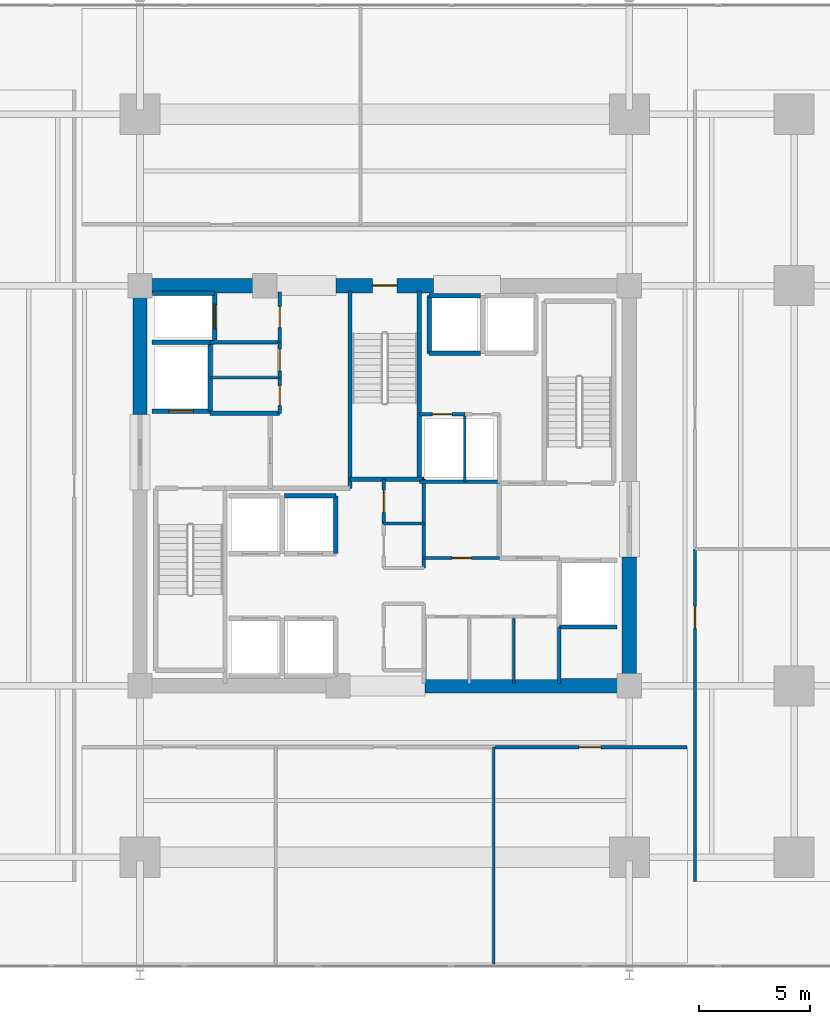
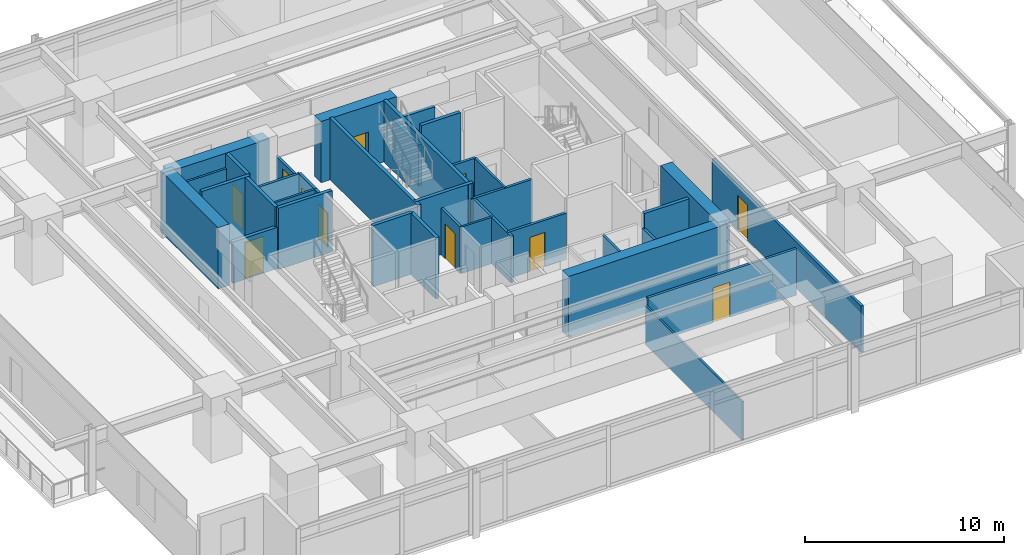
# One storey, part 15 of 21: 37 walls, 11 doors, 11 openings.
"""IFC4 building model written with IfcOpenShell, lengths in metres."""

from ifc_helpers import new_model, si_unit, direction, frame, frame_2d, origin, place, context, subcontext, project, spatial, rectangle, extrude, material, layer, layer_set, type_object, element, fill, save


model = new_model("IFC4")

# Units and contexts
model_context = context("Model", 3, precision=1e-05, world=origin(), true_north=direction((0.0, 1.0)))
body_context = subcontext(model_context, "Body", "Model", "MODEL_VIEW")
ifc_project = project(units=[si_unit("LENGTHUNIT", "METRE"), si_unit("AREAUNIT", "SQUARE_METRE"), si_unit("VOLUMEUNIT", "CUBIC_METRE"), si_unit("PLANEANGLEUNIT", "RADIAN"), si_unit("MASSUNIT", "GRAM", prefix="KILO")], contexts=[model_context])

# Site, building, storey
site_placement = place(None, origin())
site = spatial("IfcSite", under=ifc_project, at=site_placement, CompositionType="ELEMENT")
building_placement = place(site_placement, origin())
building = spatial("IfcBuilding", under=site, at=building_placement, Name="Kovane Verandah Tower", CompositionType="ELEMENT")
storey_placement = place(building_placement, frame((0.0, 0.0, 27.60009765625)))
storey = spatial("IfcBuildingStorey", under=building, at=storey_placement, Name="L05", CompositionType="ELEMENT", Elevation=27.60009765625)

# Wall
ifc_material_1 = material(Name="Fire-Rated Gypsum Stud Partition", Category="gypsum")
ifc_layer_1 = layer(ifc_material_1, 0.14990234375)
ifc_layer_set_1 = layer_set([ifc_layer_1], Name="Fire-Rated Gypsum Stud Partition")
wall_type_1 = type_object("IfcWallType", Name="WL-COR-150", PredefinedType="PARTITIONING", material=ifc_layer_set_1)
wall_1_placement = place(storey_placement, frame((41.760009765625, 23.800048828125, 0.0), z_axis=(0.0, 0.0, 1.0), x_axis=(0.0, 1.0, 0.0)))
element("IfcWall", 1, at=wall_1_placement, inside=storey, type_object=wall_type_1, Name="L05 Central Core Strip Upper East Wall", PredefinedType="PARTITIONING", context=body_context, shape_type="SweptSolid", body=[
    extrude(rectangle(XDim=4.0, YDim=0.14990234375, at=frame_2d((2.0, 0.0))), origin(), (0.0, 0.0, 1.0), 2.849853515625),
])

# Wall, opening, door
wall_2_placement = place(storey_placement, frame((39.949951171875, 25.800048828125, 0.0), z_axis=(0.0, 0.0, 1.0), x_axis=(0.0, 1.0, 0.0)))
wall_2 = element("IfcWall", 2, at=wall_2_placement, inside=storey, type_object=wall_type_1, Name="L05 Central First Aid and Wellness Room Partition", PredefinedType="PARTITIONING", context=body_context, shape_type="SweptSolid", body=[
    extrude(rectangle(XDim=2.0, YDim=0.14990234375, at=frame_2d((1.0, 0.0))), origin(), (0.0, 0.0, 1.0), 2.849853515625),
])
opening_1_placement = place(wall_2_placement, frame((0.5, 0.0, 0.0)))
opening_1 = element("IfcOpeningElement", 3, at=opening_1_placement, cuts=wall_2, Name="Opening DR-L05-026", PredefinedType="OPENING", context=body_context, shape_type="SweptSolid", body=[
    extrude(rectangle(XDim=1.0, YDim=2.14990234375, at=frame_2d((0.5, 1.074951171875))), frame((0.0, 0.074951171875, 0.0), z_axis=(0.0, -1.0, 0.0), x_axis=(1.0, 0.0, 0.0)), (0.0, 0.0, 1.0), 0.14990234375),
])
ifc_material_2 = material(Name="FSC Spotted-Gum Timber Fire-Rated Office Door", Category="wood")
door_type_1 = type_object("IfcDoorType", Name="DR-OFF-1000", OperationType="SINGLE_SWING_LEFT", PredefinedType="DOOR", material=ifc_material_2)
door_1_placement = place(opening_1_placement, origin())
door_1 = element("IfcDoor", 4, at=door_1_placement, inside=storey, type_object=door_type_1, Name="L05 Central First Aid and Wellness Room Door", OperationType="SINGLE_SWING_LEFT", OverallHeight=2.14990234375, OverallWidth=1.0, PredefinedType="DOOR", context=body_context, shape_type="SweptSolid", body=[
    extrude(rectangle(XDim=1.0, YDim=2.14990234375, at=frame_2d((0.5, 1.074951171875))), frame((0.0, 0.02490234375, 0.0), z_axis=(0.0, -1.0, 0.0), x_axis=(1.0, 0.0, 0.0)), (0.0, 0.0, 1.0), 0.050048828125),
])
fill(opening_1, door_1)

# Wall
wall_3_placement = place(storey_placement, frame((32.14990234375, 33.949951171875, 0.0), z_axis=(0.0, 0.0, 1.0), x_axis=(1.0, 0.0, 0.0)))
element("IfcWall", 5, at=wall_3_placement, inside=storey, type_object=wall_type_1, Name="L05 Goods Lift Lobby South Wall", PredefinedType="PARTITIONING", context=body_context, shape_type="SweptSolid", body=[
    extrude(rectangle(XDim=3.130126953125, YDim=0.14990234375, at=frame_2d((1.56494140625, 0.0))), origin(), (0.0, 0.0, 1.0), 2.849853515625),
])

# Wall, opening, door
wall_4_placement = place(storey_placement, frame((35.280029296875, 33.949951171875, 0.0), z_axis=(0.0, 0.0, 1.0), x_axis=(0.0, 1.0, 0.0)))
wall_4 = element("IfcWall", 6, at=wall_4_placement, inside=storey, type_object=wall_type_1, Name="L05 Goods Lift Lobby East Fire Partition", PredefinedType="PARTITIONING", context=body_context, shape_type="SweptSolid", body=[
    extrude(rectangle(XDim=2.27001953125, YDim=0.14990234375, at=frame_2d((1.135009765625, 0.0))), origin(), (0.0, 0.0, 1.0), 2.539794921875),
])
opening_2_placement = place(wall_4_placement, frame((0.659912109375, 0.0, 0.0)))
opening_2 = element("IfcOpeningElement", 7, at=opening_2_placement, cuts=wall_4, Name="Opening DR-L05-008", PredefinedType="OPENING", context=body_context, shape_type="SweptSolid", body=[
    extrude(rectangle(XDim=0.949951171875, YDim=2.14990234375, at=frame_2d((0.47509765625, 1.074951171875))), frame((0.0, 0.074951171875, 0.0), z_axis=(0.0, -1.0, 0.0), x_axis=(1.0, 0.0, 0.0)), (0.0, 0.0, 1.0), 0.14990234375),
])
ifc_material_3 = material(Name="Fire-Rated Steel Refuge and Lobby Door", Category="steel")
door_type_2 = type_object("IfcDoorType", Name="DR-FIRE-950", OperationType="SINGLE_SWING_LEFT", PredefinedType="DOOR", material=ifc_material_3)
door_2_placement = place(opening_2_placement, origin())
door_2 = element("IfcDoor", 8, at=door_2_placement, inside=storey, type_object=door_type_2, Name="L05 Goods Lift Lobby Fire Door", OperationType="SINGLE_SWING_RIGHT", OverallHeight=2.14990234375, OverallWidth=0.949951171875, PredefinedType="DOOR", context=body_context, shape_type="SweptSolid", body=[
    extrude(rectangle(XDim=0.949951171875, YDim=2.14990234375, at=frame_2d((0.47509765625, 1.074951171875))), frame((0.0, 0.02490234375, 0.0), z_axis=(0.0, -1.0, 0.0), x_axis=(1.0, 0.0, 0.0)), (0.0, 0.0, 1.0), 0.050048828125),
])
fill(opening_2, door_2)

wall_5_placement = place(storey_placement, frame((35.280029296875, 30.75, 0.0), z_axis=(0.0, 0.0, 1.0), x_axis=(0.0, 1.0, 0.0)))
wall_5 = element("IfcWall", 9, at=wall_5_placement, inside=storey, type_object=wall_type_1, Name="L05 Accessible Unisex Toilet Partition", PredefinedType="PARTITIONING", context=body_context, shape_type="SweptSolid", body=[
    extrude(rectangle(XDim=1.60009765625, YDim=0.14990234375, at=frame_2d((0.800048828125, 0.0))), origin(), (0.0, 0.0, 1.0), 2.849853515625),
])
opening_3_placement = place(wall_5_placement, frame((0.35009765625, 0.0, 0.0)))
opening_3 = element("IfcOpeningElement", 10, at=opening_3_placement, cuts=wall_5, Name="Opening DR-L05-027", PredefinedType="OPENING", context=body_context, shape_type="SweptSolid", body=[
    extrude(rectangle(XDim=0.89990234375, YDim=2.10009765625, at=frame_2d((0.449951171875, 1.050048828125))), frame((0.0, 0.074951171875, 0.0), z_axis=(0.0, -1.0, 0.0), x_axis=(1.0, 0.0, 0.0)), (0.0, 0.0, 1.0), 0.14990234375),
])
ifc_material_4 = material(Name="Moisture-Resistant Laminate Washroom Door", Category="wood")
door_type_3 = type_object("IfcDoorType", Name="DR-WC-900", OperationType="SINGLE_SWING_LEFT", PredefinedType="DOOR", material=ifc_material_4)
door_3_placement = place(opening_3_placement, origin())
door_3 = element("IfcDoor", 11, at=door_3_placement, inside=storey, type_object=door_type_3, Name="L05 Accessible Unisex Toilet Door", OperationType="SINGLE_SWING_LEFT", OverallHeight=2.10009765625, OverallWidth=0.89990234375, PredefinedType="DOOR", context=body_context, shape_type="SweptSolid", body=[
    extrude(rectangle(XDim=0.89990234375, YDim=2.10009765625, at=frame_2d((0.449951171875, 1.050048828125))), frame((0.0, 0.02490234375, 0.0), z_axis=(0.0, -1.0, 0.0), x_axis=(1.0, 0.0, 0.0)), (0.0, 0.0, 1.0), 0.050048828125),
])
fill(opening_3, door_3)

wall_6_placement = place(storey_placement, frame((35.280029296875, 32.35009765625, 0.0), z_axis=(0.0, 0.0, 1.0), x_axis=(0.0, 1.0, 0.0)))
wall_6 = element("IfcWall", 12, at=wall_6_placement, inside=storey, type_object=wall_type_1, Name="L05 North-West First Aid Room Partition", PredefinedType="PARTITIONING", context=body_context, shape_type="SweptSolid", body=[
    extrude(rectangle(XDim=1.599853515625, YDim=0.14990234375, at=frame_2d((0.7998046875, 0.0))), origin(), (0.0, 0.0, 1.0), 2.849853515625),
])
opening_4_placement = place(wall_6_placement, frame((0.300048828125, 0.0, 0.0)))
opening_4 = element("IfcOpeningElement", 13, at=opening_4_placement, cuts=wall_6, Name="Opening DR-L05-012", PredefinedType="OPENING", context=body_context, shape_type="SweptSolid", body=[
    extrude(rectangle(XDim=1.0, YDim=2.14990234375, at=frame_2d((0.5, 1.074951171875))), frame((0.0, 0.074951171875, 0.0), z_axis=(0.0, -1.0, 0.0), x_axis=(1.0, 0.0, 0.0)), (0.0, 0.0, 1.0), 0.14990234375),
])
door_4_placement = place(opening_4_placement, origin())
door_4 = element("IfcDoor", 14, at=door_4_placement, inside=storey, type_object=door_type_1, Name="L05 North-West First Aid Room Door", OperationType="SINGLE_SWING_RIGHT", OverallHeight=2.14990234375, OverallWidth=1.0, PredefinedType="DOOR", context=body_context, shape_type="SweptSolid", body=[
    extrude(rectangle(XDim=1.0, YDim=2.14990234375, at=frame_2d((0.5, 1.074951171875))), frame((0.0, 0.02490234375, 0.0), z_axis=(0.0, -1.0, 0.0), x_axis=(1.0, 0.0, 0.0)), (0.0, 0.0, 1.0), 0.050048828125),
])
fill(opening_4, door_4)

# Walls
wall_7_placement = place(storey_placement, frame((41.56005859375, 27.679931640625, 0.0), z_axis=(0.0, 0.0, 1.0), x_axis=(1.0, 0.0, 0.0)))
element("IfcWall", 15, at=wall_7_placement, inside=storey, type_object=wall_type_1, Name="L05 East Core Service Riser South Wall", PredefinedType="PARTITIONING", context=body_context, shape_type="SweptSolid", body=[
    extrude(rectangle(XDim=3.58984375, YDim=0.14990234375, at=frame_2d((1.794921875, 0.0))), origin(), (0.0, 0.0, 1.0), 2.849853515625),
])
wall_8_placement = place(storey_placement, frame((47.85009765625, 18.60009765625, 0.0), z_axis=(0.0, 0.0, 1.0), x_axis=(0.0, 1.0, 0.0)))
element("IfcWall", 16, at=wall_8_placement, inside=storey, type_object=wall_type_1, Name="L05 East Core Support East Wall", PredefinedType="PARTITIONING", context=body_context, shape_type="SweptSolid", body=[
    extrude(rectangle(XDim=2.539794921875, YDim=0.14990234375, at=frame_2d((1.27001953125, 0.0))), origin(), (0.0, 0.0, 1.0), 2.849853515625),
])

# Wall, opening, door
wall_9_placement = place(storey_placement, frame((41.760009765625, 24.25, 0.0), z_axis=(0.0, 0.0, 1.0), x_axis=(1.0, 0.0, 0.0)))
wall_9 = element("IfcWall", 17, at=wall_9_placement, inside=storey, type_object=wall_type_1, Name="L05 Supply Store Partition", PredefinedType="PARTITIONING", context=body_context, shape_type="SweptSolid", body=[
    extrude(rectangle(XDim=3.389892578125, YDim=0.14990234375, at=frame_2d((1.69482421875, 0.0))), origin(), (0.0, 0.0, 1.0), 2.849853515625),
])
opening_5_placement = place(wall_9_placement, frame((1.2548828125, 0.0, 0.0)))
opening_5 = element("IfcOpeningElement", 18, at=opening_5_placement, cuts=wall_9, Name="Opening DR-L05-018", PredefinedType="OPENING", context=body_context, shape_type="SweptSolid", body=[
    extrude(rectangle(XDim=0.8798828125, YDim=2.10009765625, at=frame_2d((0.43994140625, 1.050048828125))), frame((0.0, 0.074951171875, 0.0), z_axis=(0.0, -1.0, 0.0), x_axis=(1.0, 0.0, 0.0)), (0.0, 0.0, 1.0), 0.14990234375),
])
ifc_material_5 = material(Name="Fire-Rated Steel Riser Access Door", Category="steel")
door_type_4 = type_object("IfcDoorType", Name="DR-RISER-880", OperationType="SINGLE_SWING_LEFT", PredefinedType="DOOR", material=ifc_material_5)
door_5_placement = place(opening_5_placement, origin())
door_5 = element("IfcDoor", 19, at=door_5_placement, inside=storey, type_object=door_type_4, Name="L05 Supply Store Door", OperationType="SINGLE_SWING_RIGHT", OverallHeight=2.10009765625, OverallWidth=0.8798828125, PredefinedType="DOOR", context=body_context, shape_type="SweptSolid", body=[
    extrude(rectangle(XDim=0.8798828125, YDim=2.10009765625, at=frame_2d((0.43994140625, 1.050048828125))), frame((0.0, 0.02490234375, 0.0), z_axis=(0.0, -1.0, 0.0), x_axis=(1.0, 0.0, 0.0)), (0.0, 0.0, 1.0), 0.050048828125),
])
fill(opening_5, door_5)

wall_10_placement = place(storey_placement, frame((41.56005859375, 30.719970703125, 0.0), z_axis=(0.0, 0.0, 1.0), x_axis=(1.0, 0.0, 0.0)))
wall_10 = element("IfcWall", 20, at=wall_10_placement, inside=storey, type_object=wall_type_1, Name="L05 Electrical Sub-Main Riser Room Partition", PredefinedType="PARTITIONING", context=body_context, shape_type="SweptSolid", body=[
    extrude(rectangle(XDim=2.0400390625, YDim=0.14990234375, at=frame_2d((1.02001953125, 0.0))), origin(), (0.0, 0.0, 1.0), 2.849853515625),
])
opening_6_placement = place(wall_10_placement, frame((0.580078125, 0.0, 0.0)))
opening_6 = element("IfcOpeningElement", 21, at=opening_6_placement, cuts=wall_10, Name="Opening DR-L05-019", PredefinedType="OPENING", context=body_context, shape_type="SweptSolid", body=[
    extrude(rectangle(XDim=0.8798828125, YDim=2.10009765625, at=frame_2d((0.43994140625, 1.050048828125))), frame((0.0, 0.074951171875, 0.0), z_axis=(0.0, -1.0, 0.0), x_axis=(1.0, 0.0, 0.0)), (0.0, 0.0, 1.0), 0.14990234375),
])
door_6_placement = place(opening_6_placement, origin())
door_6 = element("IfcDoor", 22, at=door_6_placement, inside=storey, type_object=door_type_4, Name="L05 Electrical Sub-Main Riser Room Door", OperationType="SINGLE_SWING_LEFT", OverallHeight=2.10009765625, OverallWidth=0.8798828125, PredefinedType="DOOR", context=body_context, shape_type="SweptSolid", body=[
    extrude(rectangle(XDim=0.8798828125, YDim=2.10009765625, at=frame_2d((0.43994140625, 1.050048828125))), frame((0.0, 0.02490234375, 0.0), z_axis=(0.0, -1.0, 0.0), x_axis=(1.0, 0.0, 0.0)), (0.0, 0.0, 1.0), 0.050048828125),
])
fill(opening_6, door_6)

wall_11_placement = place(storey_placement, frame((44.966064453125, 15.75, 0.0), z_axis=(0.0, 0.0, 1.0), x_axis=(1.0, 0.0, 0.0)))
wall_11 = element("IfcWall", 23, at=wall_11_placement, inside=storey, type_object=wall_type_1, Name="L05 Focus Studio S3 Corridor Partition", PredefinedType="PARTITIONING", context=body_context, shape_type="SweptSolid", body=[
    extrude(rectangle(XDim=8.634033203125, YDim=0.14990234375, at=frame_2d((4.31689453125, 0.0))), origin(), (0.0, 0.0, 1.0), 2.849853515625),
])
opening_7_placement = place(wall_11_placement, frame((3.76708984375, 0.0, 0.0)))
opening_7 = element("IfcOpeningElement", 24, at=opening_7_placement, cuts=wall_11, Name="Opening DR-L05-025", PredefinedType="OPENING", context=body_context, shape_type="SweptSolid", body=[
    extrude(rectangle(XDim=1.0, YDim=2.14990234375, at=frame_2d((0.5, 1.074951171875))), frame((0.0, 0.074951171875, 0.0), z_axis=(0.0, -1.0, 0.0), x_axis=(1.0, 0.0, 0.0)), (0.0, 0.0, 1.0), 0.14990234375),
])
door_7_placement = place(opening_7_placement, origin())
door_7 = element("IfcDoor", 25, at=door_7_placement, inside=storey, type_object=door_type_1, Name="L05 Focus Studio S3 Entrance Door", OperationType="SINGLE_SWING_LEFT", OverallHeight=2.14990234375, OverallWidth=1.0, PredefinedType="DOOR", context=body_context, shape_type="SweptSolid", body=[
    extrude(rectangle(XDim=1.0, YDim=2.14990234375, at=frame_2d((0.5, 1.074951171875))), frame((0.0, 0.02490234375, 0.0), z_axis=(0.0, -1.0, 0.0), x_axis=(1.0, 0.0, 0.0)), (0.0, 0.0, 1.0), 0.050048828125),
])
fill(opening_7, door_7)

wall_12_placement = place(storey_placement, frame((53.949951171875, 9.699951171875, 0.0), z_axis=(0.0, 0.0, 1.0), x_axis=(0.0, 1.0, 0.0)))
wall_12 = element("IfcWall", 26, at=wall_12_placement, inside=storey, type_object=wall_type_1, Name="L05 Collaboration Hub E1 Corridor Partition", PredefinedType="PARTITIONING", context=body_context, shape_type="SweptSolid", body=[
    extrude(rectangle(XDim=14.9521484375, YDim=0.14990234375, at=frame_2d((7.47607421875, 0.0))), origin(), (0.0, 0.0, 1.0), 2.849853515625),
])
opening_8_placement = place(wall_12_placement, frame((11.39111328125, 0.0, 0.0)))
opening_8 = element("IfcOpeningElement", 27, at=opening_8_placement, cuts=wall_12, Name="Opening DR-L05-013", PredefinedType="OPENING", context=body_context, shape_type="SweptSolid", body=[
    extrude(rectangle(XDim=1.0, YDim=2.14990234375, at=frame_2d((0.5, 1.074951171875))), frame((0.0, 0.074951171875, 0.0), z_axis=(0.0, -1.0, 0.0), x_axis=(1.0, 0.0, 0.0)), (0.0, 0.0, 1.0), 0.14990234375),
])
door_8_placement = place(opening_8_placement, origin())
door_8 = element("IfcDoor", 28, at=door_8_placement, inside=storey, type_object=door_type_1, Name="L05 Collaboration Hub E1 Entrance Door", OperationType="SINGLE_SWING_LEFT", OverallHeight=2.14990234375, OverallWidth=1.0, PredefinedType="DOOR", context=body_context, shape_type="SweptSolid", body=[
    extrude(rectangle(XDim=1.0, YDim=2.14990234375, at=frame_2d((0.5, 1.074951171875))), frame((0.0, 0.02490234375, 0.0), z_axis=(0.0, -1.0, 0.0), x_axis=(1.0, 0.0, 0.0)), (0.0, 0.0, 1.0), 0.050048828125),
])
fill(opening_8, door_8)

# Walls
ifc_material_6 = material(Name="Concrete C80/95", Category="concrete")
ifc_layer_2 = layer(ifc_material_6, 0.64990234375)
ifc_layer_set_2 = layer_set([ifc_layer_2], Name="Concrete C80/95")
wall_type_2 = type_object("IfcWallType", Name="WL-CORE-650", PredefinedType="SHEAR", material=ifc_layer_set_2)
wall_13_placement = place(storey_placement, frame((41.800048828125, 18.5, 0.0), z_axis=(0.0, 0.0, 1.0), x_axis=(1.0, 0.0, 0.0)))
element("IfcWall", 29, at=wall_13_placement, inside=storey, type_object=wall_type_2, Name="L05 Core Shear Wall CS-2", PredefinedType="SHEAR", context=body_context, shape_type="SweptSolid", body=[
    extrude(rectangle(XDim=9.199951171875, YDim=0.64990234375, at=frame_2d((4.60009765625, 0.0))), origin(), (0.0, 0.0, 1.0), 3.760009765625),
])
wall_14_placement = place(storey_placement, frame((29.0, 36.5, 0.0), z_axis=(0.0, 0.0, 1.0), x_axis=(1.0, 0.0, 0.0)))
element("IfcWall", 30, at=wall_14_placement, inside=storey, type_object=wall_type_2, Name="L05 Core Shear Wall CN-1", PredefinedType="SHEAR", context=body_context, shape_type="SweptSolid", body=[
    extrude(rectangle(XDim=5.800048828125, YDim=0.64990234375, at=frame_2d((2.89990234375, 0.0))), origin(), (0.0, 0.0, 1.0), 3.760009765625),
])

# Wall, opening, door
wall_15_placement = place(storey_placement, frame((37.800048828125, 36.5, 0.0), z_axis=(0.0, 0.0, 1.0), x_axis=(1.0, 0.0, 0.0)))
wall_15 = element("IfcWall", 31, at=wall_15_placement, inside=storey, type_object=wall_type_2, Name="L05 Core Shear Wall CN-2", PredefinedType="SHEAR", context=body_context, shape_type="SweptSolid", body=[
    extrude(rectangle(XDim=4.39990234375, YDim=0.64990234375, at=frame_2d((2.199951171875, 0.0))), origin(), (0.0, 0.0, 1.0), 3.760009765625),
])
opening_9_placement = place(wall_15_placement, frame((1.64990234375, 0.0, 0.0)))
opening_9 = element("IfcOpeningElement", 32, at=opening_9_placement, cuts=wall_15, Name="Opening DR-L05-011", PredefinedType="OPENING", context=body_context, shape_type="SweptSolid", body=[
    extrude(rectangle(XDim=1.10009765625, YDim=2.14990234375, at=frame_2d((0.550048828125, 1.074951171875))), frame((0.0, 0.324951171875, 0.0), z_axis=(0.0, -1.0, 0.0), x_axis=(1.0, 0.0, 0.0)), (0.0, 0.0, 1.0), 0.64990234375),
])
ifc_material_7 = material(Name="Fire-Rated Steel Exit Door", Category="steel")
door_type_5 = type_object("IfcDoorType", Name="DR-STAIR-1100", OperationType="SINGLE_SWING_LEFT", PredefinedType="DOOR", material=ifc_material_7)
door_9_placement = place(opening_9_placement, origin())
door_9 = element("IfcDoor", 33, at=door_9_placement, inside=storey, type_object=door_type_5, Name="L05 ST-03 Fire Exit Stair Door", OperationType="SINGLE_SWING_RIGHT", OverallHeight=2.14990234375, OverallWidth=1.10009765625, PredefinedType="DOOR", context=body_context, shape_type="SweptSolid", body=[
    extrude(rectangle(XDim=1.10009765625, YDim=2.14990234375, at=frame_2d((0.550048828125, 1.074951171875))), frame((0.0, 0.02490234375, 0.0), z_axis=(0.0, -1.0, 0.0), x_axis=(1.0, 0.0, 0.0)), (0.0, 0.0, 1.0), 0.050048828125),
])
fill(opening_9, door_9)

# Walls
for number, where, z_axis, x_axis, name in (
    (34, (29.0, 30.699951171875, 0.0), (0.0, 0.0, 1.0), (0.0, 1.0, 0.0), "L05 Core Shear Wall CW-2"),
    (35, (51.0, 18.5, 0.0), (0.0, 0.0, 1.0), (0.0, 1.0, 0.0), "L05 Core Shear Wall CE-1"),
):
    element("IfcWall", number, at=place(storey_placement, frame(where, z_axis=z_axis, x_axis=x_axis)), inside=storey, type_object=wall_type_2, Name=name, PredefinedType="SHEAR", context=body_context, shape_type="SweptSolid", body=[
        extrude(rectangle(XDim=5.800048828125, YDim=0.64990234375, at=frame_2d((2.89990234375, 0.0))), origin(), (0.0, 0.0, 1.0), 3.760009765625),
    ])
ifc_material_8 = material(Name="Concrete C45/55 Fire Wall", Category="concrete")
ifc_layer_3 = layer(ifc_material_8, 0.199951171875)
ifc_layer_set_3 = layer_set([ifc_layer_3], Name="Concrete C45/55 Fire Wall")
wall_type_3 = type_object("IfcWallType", Name="WL-FFL-200", PredefinedType="PARTITIONING", material=ifc_layer_set_3)
wall_16_placement = place(storey_placement, frame((32.14990234375, 30.75, 0.0), z_axis=(0.0, 0.0, 1.0), x_axis=(1.0, 0.0, 0.0)))
element("IfcWall", 36, at=wall_16_placement, inside=storey, type_object=wall_type_3, Name="L05 West Firefighting Lobby North Fire Wall", PredefinedType="PARTITIONING", context=body_context, shape_type="SweptSolid", body=[
    extrude(rectangle(XDim=3.130126953125, YDim=0.199951171875, at=frame_2d((1.56494140625, 0.0))), origin(), (0.0, 0.0, 1.0), 3.760009765625),
])

# Wall, opening, door
ifc_material_9 = material(Name="Concrete C45/55 Lift Shaft Wall", Category="concrete")
ifc_layer_4 = layer(ifc_material_9, 0.199951171875)
ifc_layer_set_4 = layer_set([ifc_layer_4], Name="Concrete C45/55 Lift Shaft Wall")
wall_type_4 = type_object("IfcWallType", Name="WL-LIFT-200", PredefinedType="SOLIDWALL", material=ifc_layer_set_4)
wall_17_placement = place(storey_placement, frame((29.550048828125, 30.85009765625, 0.0), z_axis=(0.0, 0.0, 1.0), x_axis=(1.0, 0.0, 0.0)))
wall_17 = element("IfcWall", 37, at=wall_17_placement, inside=storey, type_object=wall_type_4, Name="L05 Lift FL-01 S Shaft Wall", PredefinedType="SOLIDWALL", context=body_context, shape_type="SweptSolid", body=[
    extrude(rectangle(XDim=2.599853515625, YDim=0.199951171875, at=frame_2d((1.2998046875, 0.0))), origin(), (0.0, 0.0, 1.0), 2.539794921875),
])
opening_10_placement = place(wall_17_placement, frame((0.75, 0.0, 0.0)))
opening_10 = element("IfcOpeningElement", 38, at=opening_10_placement, cuts=wall_17, Name="Opening LD-L05-001", PredefinedType="OPENING", context=body_context, shape_type="SweptSolid", body=[
    extrude(rectangle(XDim=1.10009765625, YDim=2.199951171875, at=frame_2d((0.550048828125, 1.10009765625))), frame((0.0, 0.10009765625, 0.0), z_axis=(0.0, -1.0, 0.0), x_axis=(1.0, 0.0, 0.0)), (0.0, 0.0, 1.0), 0.199951171875),
])
ifc_material_10 = material(Name="Brushed Stainless Steel Sliding Lift Landing Door", Category="steel")
door_type_6 = type_object("IfcDoorType", Name="DR-LIFT-1100", OperationType="SLIDING_TO_RIGHT", PredefinedType="DOOR", material=ifc_material_10)
door_10_placement = place(opening_10_placement, origin())
door_10 = element("IfcDoor", 39, at=door_10_placement, inside=storey, type_object=door_type_6, Name="L05 Lift FL-01 Sliding Landing Door", OperationType="SLIDING_TO_RIGHT", OverallHeight=2.199951171875, OverallWidth=1.10009765625, PredefinedType="DOOR", context=body_context, shape_type="SweptSolid", body=[
    extrude(rectangle(XDim=1.10009765625, YDim=2.199951171875, at=frame_2d((0.550048828125, 1.10009765625))), frame((0.0, 0.02490234375, 0.0), z_axis=(0.0, -1.0, 0.0), x_axis=(1.0, 0.0, 0.0)), (0.0, 0.0, 1.0), 0.050048828125),
])
fill(opening_10, door_10)

# Walls
wall_18_placement = place(storey_placement, frame((29.550048828125, 33.949951171875, 0.0), z_axis=(0.0, 0.0, 1.0), x_axis=(1.0, 0.0, 0.0)))
element("IfcWall", 40, at=wall_18_placement, inside=storey, type_object=wall_type_4, Name="L05 Lift FL-01 and GL-01 Shared Shaft Wall", PredefinedType="SOLIDWALL", context=body_context, shape_type="SweptSolid", body=[
    extrude(rectangle(XDim=2.800048828125, YDim=0.199951171875, at=frame_2d((1.39990234375, 0.0))), origin(), (0.0, 0.0, 1.0), 3.760009765625),
])
wall_19_placement = place(storey_placement, frame((32.14990234375, 30.85009765625, 0.0), z_axis=(0.0, 0.0, 1.0), x_axis=(0.0, 1.0, 0.0)))
element("IfcWall", 41, at=wall_19_placement, inside=storey, type_object=wall_type_4, Name="L05 Lift FL-01 E Shaft Wall", PredefinedType="SOLIDWALL", context=body_context, shape_type="SweptSolid", body=[
    extrude(rectangle(XDim=3.0, YDim=0.199951171875, at=frame_2d((1.5, 0.0))), origin(), (0.0, 0.0, 1.0), 3.760009765625),
])
wall_20_placement = place(storey_placement, frame((47.85009765625, 21.14990234375, 0.0), z_axis=(0.0, 0.0, 1.0), x_axis=(1.0, 0.0, 0.0)))
element("IfcWall", 42, at=wall_20_placement, inside=storey, type_object=wall_type_4, Name="L05 Lift FL-02 S Shaft Wall", PredefinedType="SOLIDWALL", context=body_context, shape_type="SweptSolid", body=[
    extrude(rectangle(XDim=2.599853515625, YDim=0.199951171875, at=frame_2d((1.2998046875, 0.0))), origin(), (0.0, 0.0, 1.0), 3.760009765625),
])
wall_21_placement = place(storey_placement, frame((32.35009765625, 36.14990234375, 0.0), z_axis=(0.0, 0.0, 1.0), x_axis=(-1.0, 0.0, 0.0)))
element("IfcWall", 43, at=wall_21_placement, inside=storey, type_object=wall_type_4, Name="L05 Lift GL-01 N Shaft Wall", PredefinedType="SOLIDWALL", context=body_context, shape_type="SweptSolid", body=[
    extrude(rectangle(XDim=2.800048828125, YDim=0.199951171875, at=frame_2d((1.39990234375, 0.0))), origin(), (0.0, 0.0, 1.0), 2.888916015625),
])

# Wall, opening, door
wall_22_placement = place(storey_placement, frame((32.35009765625, 34.050048828125, 0.0), z_axis=(0.0, 0.0, 1.0), x_axis=(0.0, 1.0, 0.0)))
wall_22 = element("IfcWall", 44, at=wall_22_placement, inside=storey, type_object=wall_type_4, Name="L05 Lift GL-01 E Shaft Wall", PredefinedType="SOLIDWALL", context=body_context, shape_type="SweptSolid", body=[
    extrude(rectangle(XDim=2.099853515625, YDim=0.199951171875, at=frame_2d((1.0498046875, 0.0))), origin(), (0.0, 0.0, 1.0), 3.760009765625),
])
opening_11_placement = place(wall_22_placement, frame((0.5, 0.0, 0.0)))
opening_11 = element("IfcOpeningElement", 45, at=opening_11_placement, cuts=wall_22, Name="Opening LD-L05-003", PredefinedType="OPENING", context=body_context, shape_type="SweptSolid", body=[
    extrude(rectangle(XDim=1.10009765625, YDim=2.199951171875, at=frame_2d((0.550048828125, 1.10009765625))), frame((0.0, 0.10009765625, 0.0), z_axis=(0.0, -1.0, 0.0), x_axis=(1.0, 0.0, 0.0)), (0.0, 0.0, 1.0), 0.199951171875),
])
door_11_placement = place(opening_11_placement, origin())
door_11 = element("IfcDoor", 46, at=door_11_placement, inside=storey, type_object=door_type_6, Name="L05 Lift GL-01 Sliding Landing Door", OperationType="SLIDING_TO_RIGHT", OverallHeight=2.199951171875, OverallWidth=1.10009765625, PredefinedType="DOOR", context=body_context, shape_type="SweptSolid", body=[
    extrude(rectangle(XDim=1.10009765625, YDim=2.199951171875, at=frame_2d((0.550048828125, 1.10009765625))), frame((0.0, 0.02490234375, 0.0), z_axis=(0.0, -1.0, 0.0), x_axis=(1.0, 0.0, 0.0)), (0.0, 0.0, 1.0), 0.050048828125),
])
fill(opening_11, door_11)

# Walls
wall_23_placement = place(storey_placement, frame((37.800048828125, 27.050048828125, 0.0), z_axis=(0.0, 0.0, 1.0), x_axis=(-1.0, 0.0, 0.0)))
element("IfcWall", 47, at=wall_23_placement, inside=storey, type_object=wall_type_4, Name="L05 Lift PL-L4 N Shaft Wall", PredefinedType="SOLIDWALL", context=body_context, shape_type="SweptSolid", body=[
    extrude(rectangle(XDim=2.300048828125, YDim=0.199951171875, at=frame_2d((1.14990234375, 0.0))), origin(), (0.0, 0.0, 1.0), 3.760009765625),
])
wall_24_placement = place(storey_placement, frame((37.800048828125, 24.449951171875, 0.0), z_axis=(0.0, 0.0, 1.0), x_axis=(0.0, 1.0, 0.0)))
element("IfcWall", 48, at=wall_24_placement, inside=storey, type_object=wall_type_4, Name="L05 Lift PL-L4 E Shaft Wall", PredefinedType="SOLIDWALL", context=body_context, shape_type="SweptSolid", body=[
    extrude(rectangle(XDim=2.60009765625, YDim=0.199951171875, at=frame_2d((1.300048828125, 0.0))), origin(), (0.0, 0.0, 1.0), 3.760009765625),
])
wall_25_placement = place(storey_placement, frame((42.0, 33.449951171875, 0.0), z_axis=(0.0, 0.0, 1.0), x_axis=(1.0, 0.0, 0.0)))
element("IfcWall", 49, at=wall_25_placement, inside=storey, type_object=wall_type_4, Name="L05 Lift SL-01 S Shaft Wall", PredefinedType="SOLIDWALL", context=body_context, shape_type="SweptSolid", body=[
    extrude(rectangle(XDim=2.300048828125, YDim=0.199951171875, at=frame_2d((1.14990234375, 0.0))), origin(), (0.0, 0.0, 1.0), 3.760009765625),
])
wall_26_placement = place(storey_placement, frame((44.300048828125, 36.050048828125, 0.0), z_axis=(0.0, 0.0, 1.0), x_axis=(-1.0, 0.0, 0.0)))
element("IfcWall", 50, at=wall_26_placement, inside=storey, type_object=wall_type_4, Name="L05 Lift SL-01 N Shaft Wall", PredefinedType="SOLIDWALL", context=body_context, shape_type="SweptSolid", body=[
    extrude(rectangle(XDim=2.300048828125, YDim=0.199951171875, at=frame_2d((1.14990234375, 0.0))), origin(), (0.0, 0.0, 1.0), 2.539794921875),
])
wall_27_placement = place(storey_placement, frame((42.0, 36.050048828125, 0.0), z_axis=(0.0, 0.0, 1.0), x_axis=(0.0, -1.0, 0.0)))
element("IfcWall", 51, at=wall_27_placement, inside=storey, type_object=wall_type_4, Name="L05 Lift SL-01 W Shaft Wall", PredefinedType="SOLIDWALL", context=body_context, shape_type="SweptSolid", body=[
    extrude(rectangle(XDim=2.60009765625, YDim=0.199951171875, at=frame_2d((1.300048828125, 0.0))), origin(), (0.0, 0.0, 1.0), 2.539794921875),
])
ifc_material_11 = material(Name="Acoustic Fire-Rated Gypsum Partition", Category="gypsum")
ifc_layer_5 = layer(ifc_material_11, 0.1201171875)
ifc_layer_set_5 = layer_set([ifc_layer_5], Name="Acoustic Fire-Rated Gypsum Partition")
wall_type_5 = type_object("IfcWallType", Name="WL-PART-120", PredefinedType="PARTITIONING", material=ifc_layer_set_5)
wall_28_placement = place(storey_placement, frame((39.949951171875, 25.800048828125, 0.0), z_axis=(0.0, 0.0, 1.0), x_axis=(1.0, 0.0, 0.0)))
element("IfcWall", 52, at=wall_28_placement, inside=storey, type_object=wall_type_5, Name="L05 Central Core Strip Upper Dividing Partition", PredefinedType="PARTITIONING", context=body_context, shape_type="SweptSolid", body=[
    extrude(rectangle(XDim=1.81005859375, YDim=0.1201171875, at=frame_2d((0.905029296875, 0.0))), origin(), (0.0, 0.0, 1.0), 2.849853515625),
])
wall_29_placement = place(storey_placement, frame((32.14990234375, 32.35009765625, 0.0), z_axis=(0.0, 0.0, 1.0), x_axis=(1.0, 0.0, 0.0)))
element("IfcWall", 53, at=wall_29_placement, inside=storey, type_object=wall_type_5, Name="L05 Accessible Washroom and Support Dividing Partition", PredefinedType="PARTITIONING", context=body_context, shape_type="SweptSolid", body=[
    extrude(rectangle(XDim=3.130126953125, YDim=0.1201171875, at=frame_2d((1.56494140625, 0.0))), origin(), (0.0, 0.0, 1.0), 2.849853515625),
])
wall_30_placement = place(storey_placement, frame((45.800048828125, 18.60009765625, 0.0), z_axis=(0.0, 0.0, 1.0), x_axis=(0.0, 1.0, 0.0)))
element("IfcWall", 54, at=wall_30_placement, inside=storey, type_object=wall_type_5, Name="L05 East Core Support Dividing Partition 2", PredefinedType="PARTITIONING", context=body_context, shape_type="SweptSolid", body=[
    extrude(rectangle(XDim=3.02001953125, YDim=0.1201171875, at=frame_2d((1.510009765625, 0.0))), origin(), (0.0, 0.0, 1.0), 2.849853515625),
])
wall_31_placement = place(storey_placement, frame((43.60009765625, 27.679931640625, 0.0), z_axis=(0.0, 0.0, 1.0), x_axis=(0.0, 1.0, 0.0)))
element("IfcWall", 55, at=wall_31_placement, inside=storey, type_object=wall_type_5, Name="L05 Service Riser Dividing Partition", PredefinedType="PARTITIONING", context=body_context, shape_type="SweptSolid", body=[
    extrude(rectangle(XDim=3.0400390625, YDim=0.1201171875, at=frame_2d((1.52001953125, 0.0))), origin(), (0.0, 0.0, 1.0), 2.849853515625),
])
wall_32_placement = place(storey_placement, frame((44.89599609375, 6.0, 0.0), z_axis=(0.0, 0.0, 1.0), x_axis=(0.0, 1.0, 0.0)))
element("IfcWall", 56, at=wall_32_placement, inside=storey, type_object=wall_type_5, Name="L05 Meeting Room S2 Dividing Partition", PredefinedType="PARTITIONING", context=body_context, shape_type="SweptSolid", body=[
    extrude(rectangle(XDim=9.75, YDim=0.1201171875, at=frame_2d((4.875, 0.0))), origin(), (0.0, 0.0, 1.0), 2.389892578125),
])
ifc_material_12 = material(Name="Concrete C45/55", Category="concrete")
ifc_layer_6 = layer(ifc_material_12, 0.199951171875)
ifc_layer_set_6 = layer_set([ifc_layer_6], Name="Concrete C45/55")
wall_type_6 = type_object("IfcWallType", Name="WL-SHAFT-200", PredefinedType="SOLIDWALL", material=ifc_layer_set_6)
wall_33_placement = place(storey_placement, frame((38.43994140625, 27.3798828125, 0.0), z_axis=(0.0, 0.0, 1.0), x_axis=(0.0, 1.0, 0.0)))
element("IfcWall", 57, at=wall_33_placement, inside=storey, type_object=wall_type_6, Name="W-L05-ST03-W", PredefinedType="SOLIDWALL", context=body_context, shape_type="SweptSolid", body=[
    extrude(rectangle(XDim=8.8701171875, YDim=0.199951171875, at=frame_2d((4.43505859375, 0.0))), origin(), (0.0, 0.0, 1.0), 3.760009765625),
])
wall_34_placement = place(storey_placement, frame((41.56005859375, 27.679931640625, 0.0), z_axis=(0.0, 0.0, 1.0), x_axis=(0.0, 1.0, 0.0)))
element("IfcWall", 58, at=wall_34_placement, inside=storey, type_object=wall_type_6, Name="W-L05-ST03-E", PredefinedType="SOLIDWALL", context=body_context, shape_type="SweptSolid", body=[
    extrude(rectangle(XDim=8.570068359375, YDim=0.199951171875, at=frame_2d((4.28515625, 0.0))), origin(), (0.0, 0.0, 1.0), 3.760009765625),
])
wall_35_placement = place(storey_placement, frame((38.43994140625, 27.800048828125, 0.0), z_axis=(0.0, 0.0, 1.0), x_axis=(1.0, 0.0, 0.0)))
element("IfcWall", 59, at=wall_35_placement, inside=storey, type_object=wall_type_6, Name="W-L05-ST03-S", PredefinedType="SOLIDWALL", context=body_context, shape_type="SweptSolid", body=[
    extrude(rectangle(XDim=3.320068359375, YDim=0.199951171875, at=frame_2d((1.66015625, 0.0))), origin(), (0.0, 0.0, 1.0), 3.760009765625),
])

save(model, "model.ifc")
